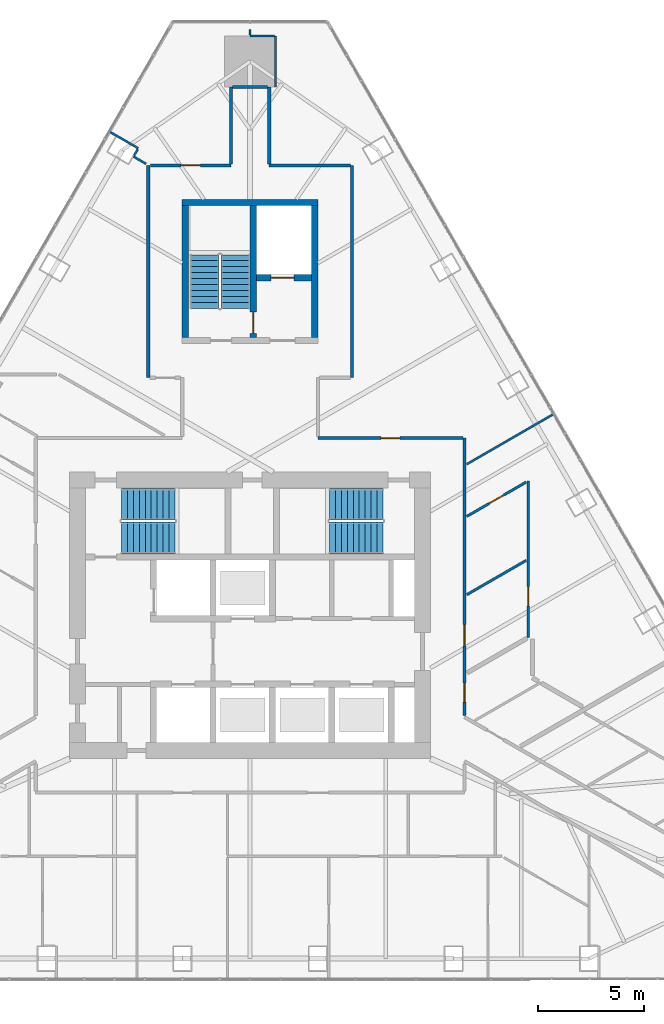
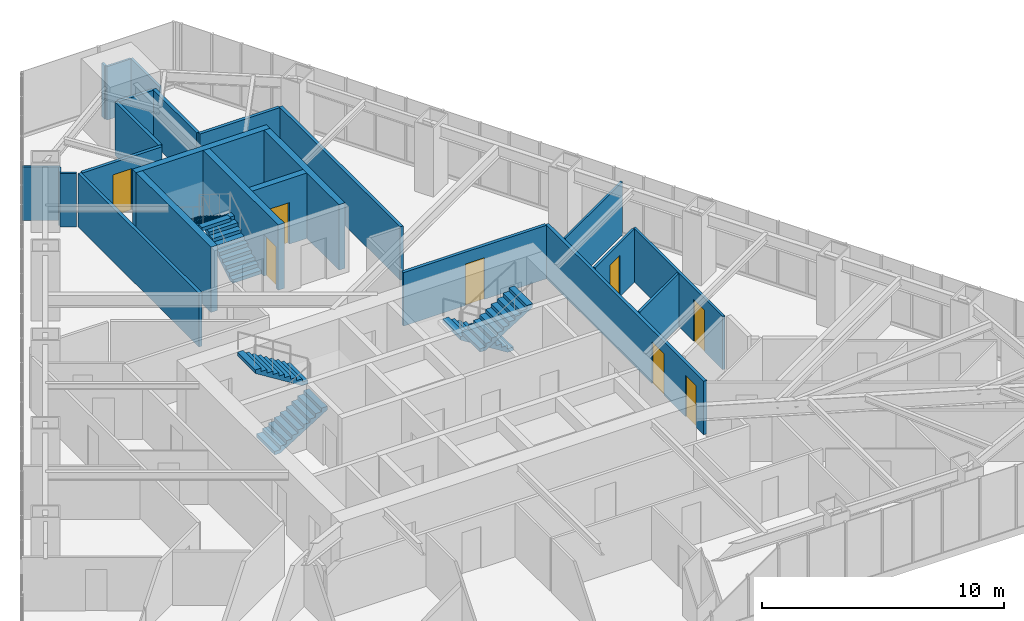
# One storey, part 19 of 21: 24 walls, 8 doors, 6 stair flights, 8 openings, 3 elements without a shape of their own.
"""IFC4 building model written with IfcOpenShell, lengths in metres."""

from ifc_helpers import new_model, si_unit, direction, frame, frame_2d, origin, place, context, subcontext, project, spatial, polyline, rectangle, outline, extrude, material, layer, layer_set, type_object, element, fill, aggregate, save


model = new_model("IFC4")

# Units and contexts
model_context = context("Model", 3, precision=1e-05, world=origin(), true_north=direction((0.0, 1.0)))
body_context = subcontext(model_context, "Body", "Model", "MODEL_VIEW")
ifc_project = project(units=[si_unit("LENGTHUNIT", "METRE"), si_unit("AREAUNIT", "SQUARE_METRE"), si_unit("VOLUMEUNIT", "CUBIC_METRE"), si_unit("PLANEANGLEUNIT", "RADIAN"), si_unit("MASSUNIT", "GRAM", prefix="KILO")], contexts=[model_context])

# Site, building, storey
site_placement = place(None, origin())
site = spatial("IfcSite", under=ifc_project, at=site_placement, CompositionType="ELEMENT")
building_placement = place(site_placement, origin())
building = spatial("IfcBuilding", under=site, at=building_placement, Name="Firuza Gate Tower and Library", CompositionType="ELEMENT")
storey_placement = place(building_placement, frame((0.0, 0.0, 284.60009765625)))
storey = spatial("IfcBuildingStorey", under=building, at=storey_placement, Name="L68", CompositionType="ELEMENT", Elevation=284.60009765625)

# Walls
ifc_material_1 = material(Name="Concrete C60/75", Category="concrete")
ifc_layer_1 = layer(ifc_material_1, 0.300048828125)
ifc_layer_set_1 = layer_set([ifc_layer_1], Name="Core wall 300 C60/75")
wall_type_1 = type_object("IfcWallType", Name="Core wall 300 C60/75", PredefinedType="SHEAR", material=ifc_layer_set_1)
wall_1_placement = place(storey_placement, frame((71.800048828125, 94.449951171875, 0.0), z_axis=(0.0, 0.0, 1.0), x_axis=(1.0, 0.0, 0.0)))
element("IfcWall", 1, at=wall_1_placement, inside=storey, type_object=wall_type_1, Name="Core wall L68 19", PredefinedType="SHEAR", context=body_context, shape_type="SweptSolid", body=[
    extrude(rectangle(XDim=6.39990234375, YDim=0.300048828125, at=frame_2d((3.199951171875, 0.0))), origin(), (0.0, 0.0, 1.0), 3.2998046875),
])
for number, where, z_axis, x_axis, name in (
    (2, (71.949951171875, 88.10009765625, 0.0), (0.0, 0.0, 1.0), (0.0, 1.0, 0.0), "Core wall L68 20"),
    (3, (78.050048828125, 88.10009765625, 0.0), (0.0, 0.0, 1.0), (0.0, 1.0, 0.0), "Core wall L68 21"),
):
    element("IfcWall", number, at=place(storey_placement, frame(where, z_axis=z_axis, x_axis=x_axis)), inside=storey, type_object=wall_type_1, Name=name, PredefinedType="SHEAR", context=body_context, shape_type="SweptSolid", body=[
        extrude(rectangle(XDim=6.199951171875, YDim=0.300048828125, at=frame_2d((3.10009765625, 0.0))), origin(), (0.0, 0.0, 1.0), 3.2998046875),
    ])

# Wall, opening, door
wall_2_placement = place(storey_placement, frame((75.300048828125, 90.89990234375, 0.0), z_axis=(0.0, 0.0, 1.0), x_axis=(1.0, 0.0, 0.0)))
wall_2 = element("IfcWall", 4, at=wall_2_placement, inside=storey, type_object=wall_type_1, Name="Core wall L68 22", PredefinedType="SHEAR", context=body_context, shape_type="SweptSolid", body=[
    extrude(rectangle(XDim=2.599853515625, YDim=0.300048828125, at=frame_2d((1.2998046875, 0.0))), origin(), (0.0, 0.0, 1.0), 3.2998046875),
])
opening_1_placement = place(wall_2_placement, frame((0.675048828125, 0.0, 0.0)))
opening_1 = element("IfcOpeningElement", 5, at=opening_1_placement, cuts=wall_2, Name="Opening LD-SV1-L68", PredefinedType="OPENING", context=body_context, shape_type="SweptSolid", body=[
    extrude(rectangle(XDim=1.10009765625, YDim=2.10009765625, at=frame_2d((0.550048828125, 1.050048828125))), frame((0.0, 0.16015625, 0.0), z_axis=(0.0, -1.0, 0.0), x_axis=(1.0, 0.0, 0.0)), (0.0, 0.0, 1.0), 0.320068359375),
])
ifc_material_2 = material(Name="Stainless steel", Category="steel")
door_type_1 = type_object("IfcDoorType", Name="Lift landing door 1100x2100", OperationType="DOUBLE_DOOR_SLIDING", PredefinedType="DOOR", material=ifc_material_2)
door_1_placement = place(opening_1_placement, origin())
door_1 = element("IfcDoor", 6, at=door_1_placement, inside=storey, type_object=door_type_1, Name="Landing door SV1 L68", OperationType="DOUBLE_DOOR_SLIDING", OverallHeight=2.10009765625, OverallWidth=1.10009765625, PredefinedType="DOOR", context=body_context, shape_type="SweptSolid", body=[
    extrude(rectangle(XDim=1.10009765625, YDim=2.10009765625, at=frame_2d((0.550048828125, 1.050048828125))), frame((0.0, 0.02490234375, 0.0), z_axis=(0.0, -1.0, 0.0), x_axis=(1.0, 0.0, 0.0)), (0.0, 0.0, 1.0), 0.050048828125),
])
fill(opening_1, door_1)

wall_3_placement = place(storey_placement, frame((75.14990234375, 88.10009765625, 0.0), z_axis=(0.0, 0.0, 1.0), x_axis=(0.0, 1.0, 0.0)))
wall_3 = element("IfcWall", 7, at=wall_3_placement, inside=storey, type_object=wall_type_1, Name="Core wall L68 23", PredefinedType="SHEAR", context=body_context, shape_type="SweptSolid", body=[
    extrude(rectangle(XDim=6.199951171875, YDim=0.300048828125, at=frame_2d((3.10009765625, 0.0))), origin(), (0.0, 0.0, 1.0), 3.2998046875),
])
opening_2_placement = place(wall_3_placement, frame((0.18505859375, 0.0, 0.0)))
opening_2 = element("IfcOpeningElement", 8, at=opening_2_placement, cuts=wall_3, Name="Opening L68-K12", PredefinedType="OPENING", context=body_context, shape_type="SweptSolid", body=[
    extrude(rectangle(XDim=1.0, YDim=2.10009765625, at=frame_2d((0.5, 1.050048828125))), frame((0.0, 0.16015625, 0.0), z_axis=(0.0, -1.0, 0.0), x_axis=(1.0, 0.0, 0.0)), (0.0, 0.0, 1.0), 0.320068359375),
])
ifc_material_3 = material(Name="Steel", Category="steel")
door_type_2 = type_object("IfcDoorType", Name="Fire door 1000x2100 FD90", OperationType="NOTDEFINED", PredefinedType="DOOR", material=ifc_material_3)
door_2_placement = place(opening_2_placement, origin())
door_2 = element("IfcDoor", 9, at=door_2_placement, inside=storey, type_object=door_type_2, Name="Door L68-K12", OperationType="SINGLE_SWING_LEFT", OverallHeight=2.10009765625, OverallWidth=1.0, PredefinedType="DOOR", context=body_context, shape_type="SweptSolid", body=[
    extrude(rectangle(XDim=1.0, YDim=2.10009765625, at=frame_2d((0.5, 1.050048828125))), frame((0.0, 0.02490234375, 0.0), z_axis=(0.0, -1.0, 0.0), x_axis=(1.0, 0.0, 0.0)), (0.0, 0.0, 1.0), 0.050048828125),
])
fill(opening_2, door_2)

ifc_material_4 = material(Name="Gypsum board partition")
ifc_layer_2 = layer(ifc_material_4, 0.14990234375)
ifc_layer_set_2 = layer_set([ifc_layer_2], Name="Corridor wall 150 double board on steel studs")
wall_type_2 = type_object("IfcWallType", Name="Corridor wall 150 double board on steel studs", PredefinedType="PARTITIONING", material=ifc_layer_set_2)
wall_4_placement = place(storey_placement, frame((78.199951171875, 83.35009765625, 0.0), z_axis=(0.0, 0.0, 1.0), x_axis=(1.0, 0.0, 0.0)))
wall_4 = element("IfcWall", 10, at=wall_4_placement, inside=storey, type_object=wall_type_2, Name="f:L68:w006", PredefinedType="PARTITIONING", context=body_context, shape_type="SweptSolid", body=[
    extrude(rectangle(XDim=6.822998046875, YDim=0.14990234375, at=frame_2d((3.41162109375, 0.0))), origin(), (0.0, 0.0, 1.0), 2.699951171875),
])
opening_3_placement = place(wall_4_placement, frame((2.96142578125, 0.0, 0.0)))
opening_3 = element("IfcOpeningElement", 11, at=opening_3_placement, cuts=wall_4, Name="Opening L68-07", PredefinedType="OPENING", context=body_context, shape_type="SweptSolid", body=[
    extrude(rectangle(XDim=0.89990234375, YDim=2.10009765625, at=frame_2d((0.449951171875, 1.050048828125))), frame((0.0, 0.0849609375, 0.0), z_axis=(0.0, -1.0, 0.0), x_axis=(1.0, 0.0, 0.0)), (0.0, 0.0, 1.0), 0.169921875),
])
ifc_material_5 = material(Name="Steel door and timber leaf", Category="steel")
door_type_3 = type_object("IfcDoorType", Name="Fire door 900 x 2100 steel frame, timber leaf", OperationType="NOTDEFINED", PredefinedType="DOOR", material=ifc_material_5)
door_3_placement = place(opening_3_placement, origin())
door_3 = element("IfcDoor", 12, at=door_3_placement, inside=storey, type_object=door_type_3, Name="f:L68:d007", OperationType="SINGLE_SWING_RIGHT", OverallHeight=2.10009765625, OverallWidth=0.89990234375, PredefinedType="DOOR", context=body_context, shape_type="SweptSolid", body=[
    extrude(rectangle(XDim=0.89990234375, YDim=2.10009765625, at=frame_2d((0.449951171875, 1.050048828125))), frame((0.0, 0.02490234375, 0.0), z_axis=(0.0, -1.0, 0.0), x_axis=(1.0, 0.0, 0.0)), (0.0, 0.0, 1.0), 0.050048828125),
])
fill(opening_3, door_3)

wall_5_placement = place(storey_placement, frame((70.30224609375, 96.199951171875, 0.0), z_axis=(0.0, 0.0, 1.0), x_axis=(1.0, 0.0, 0.0)))
wall_5 = element("IfcWall", 13, at=wall_5_placement, inside=storey, type_object=wall_type_2, Name="f:L68:w010", PredefinedType="PARTITIONING", context=body_context, shape_type="SweptSolid", body=[
    extrude(rectangle(XDim=3.7978515625, YDim=0.14990234375, at=frame_2d((1.89892578125, 0.0))), origin(), (0.0, 0.0, 1.0), 2.699951171875),
])
opening_4_placement = place(wall_5_placement, frame((1.448974609375, 0.0, 0.0)))
opening_4 = element("IfcOpeningElement", 14, at=opening_4_placement, cuts=wall_5, Name="Opening L68-09", PredefinedType="OPENING", context=body_context, shape_type="SweptSolid", body=[
    extrude(rectangle(XDim=0.89990234375, YDim=2.10009765625, at=frame_2d((0.449951171875, 1.050048828125))), frame((0.0, 0.0849609375, 0.0), z_axis=(0.0, -1.0, 0.0), x_axis=(1.0, 0.0, 0.0)), (0.0, 0.0, 1.0), 0.169921875),
])
door_4_placement = place(opening_4_placement, origin())
door_4 = element("IfcDoor", 15, at=door_4_placement, inside=storey, type_object=door_type_3, Name="f:L68:d009", OperationType="SINGLE_SWING_LEFT", OverallHeight=2.10009765625, OverallWidth=0.89990234375, PredefinedType="DOOR", context=body_context, shape_type="SweptSolid", body=[
    extrude(rectangle(XDim=0.89990234375, YDim=2.10009765625, at=frame_2d((0.449951171875, 1.050048828125))), frame((0.0, 0.02490234375, 0.0), z_axis=(0.0, -1.0, 0.0), x_axis=(1.0, 0.0, 0.0)), (0.0, 0.0, 1.0), 0.050048828125),
])
fill(opening_4, door_4)

# Walls
wall_6_placement = place(storey_placement, frame((75.900146484375, 96.199951171875, 0.0), z_axis=(0.0, 0.0, 1.0), x_axis=(1.0, 0.0, 0.0)))
element("IfcWall", 16, at=wall_6_placement, inside=storey, type_object=wall_type_2, Name="f:L68:w011", PredefinedType="PARTITIONING", context=body_context, shape_type="SweptSolid", body=[
    extrude(rectangle(XDim=3.82275390625, YDim=0.14990234375, at=frame_2d((1.911376953125, 0.0))), origin(), (0.0, 0.0, 1.0), 2.699951171875),
])
wall_7_placement = place(storey_placement, frame((74.175537109375, 99.90087890625, 0.0), z_axis=(0.0, 0.0, 1.0), x_axis=(1.0, 0.0, 0.0)))
element("IfcWall", 17, at=wall_7_placement, inside=storey, type_object=wall_type_2, Name="f:L68:w012", PredefinedType="PARTITIONING", context=body_context, shape_type="SweptSolid", body=[
    extrude(rectangle(XDim=1.642333984375, YDim=0.14990234375, at=frame_2d((0.8212890625, 0.0))), origin(), (0.0, 0.0, 1.0), 2.697021484375),
])

# Wall, openings, doors
wall_8_placement = place(storey_placement, frame((85.10009765625, 83.347900390625, 0.0), z_axis=(0.0, 0.0, 1.0), x_axis=(0.0, -1.0, 0.0)))
wall_8 = element("IfcWall", 18, at=wall_8_placement, inside=storey, type_object=wall_type_2, Name="f:L68:w042", PredefinedType="PARTITIONING", context=body_context, shape_type="SweptSolid", body=[
    extrude(rectangle(XDim=13.05322265625, YDim=0.14990234375, at=frame_2d((6.526611328125, 0.0))), origin(), (0.0, 0.0, 1.0), 2.699951171875),
])
opening_5_placement = place(wall_8_placement, frame((8.779541015625, 0.0, 0.0)))
opening_5 = element("IfcOpeningElement", 19, at=opening_5_placement, cuts=wall_8, Name="Opening L68-18", PredefinedType="OPENING", context=body_context, shape_type="SweptSolid", body=[
    extrude(rectangle(XDim=1.0, YDim=2.10009765625, at=frame_2d((0.5, 1.050048828125))), frame((0.0, 0.0849609375, 0.0), z_axis=(0.0, -1.0, 0.0), x_axis=(1.0, 0.0, 0.0)), (0.0, 0.0, 1.0), 0.169921875),
])
opening_6_placement = place(wall_8_placement, frame((11.537109375, 0.0, 0.0)))
opening_6 = element("IfcOpeningElement", 20, at=opening_6_placement, cuts=wall_8, Name="Opening L68-19", PredefinedType="OPENING", context=body_context, shape_type="SweptSolid", body=[
    extrude(rectangle(XDim=0.89990234375, YDim=2.10009765625, at=frame_2d((0.449951171875, 1.050048828125))), frame((0.0, 0.0849609375, 0.0), z_axis=(0.0, -1.0, 0.0), x_axis=(1.0, 0.0, 0.0)), (0.0, 0.0, 1.0), 0.169921875),
])
ifc_material_6 = material(Name="Steel door and timber leaf", Category="steel")
door_type_4 = type_object("IfcDoorType", Name="Fire door 1000 x 2100 steel frame, timber leaf", OperationType="NOTDEFINED", PredefinedType="DOOR", material=ifc_material_6)
door_5_placement = place(opening_5_placement, origin())
door_5 = element("IfcDoor", 21, at=door_5_placement, inside=storey, type_object=door_type_4, Name="f:L68:d018", OperationType="SINGLE_SWING_LEFT", OverallHeight=2.10009765625, OverallWidth=1.0, PredefinedType="DOOR", context=body_context, shape_type="SweptSolid", body=[
    extrude(rectangle(XDim=1.0, YDim=2.10009765625, at=frame_2d((0.5, 1.050048828125))), frame((0.0, 0.02490234375, 0.0), z_axis=(0.0, -1.0, 0.0), x_axis=(1.0, 0.0, 0.0)), (0.0, 0.0, 1.0), 0.050048828125),
])
fill(opening_5, door_5)
door_6_placement = place(opening_6_placement, origin())
door_6 = element("IfcDoor", 22, at=door_6_placement, inside=storey, type_object=door_type_3, Name="f:L68:d019", OperationType="SINGLE_SWING_LEFT", OverallHeight=2.10009765625, OverallWidth=0.89990234375, PredefinedType="DOOR", context=body_context, shape_type="SweptSolid", body=[
    extrude(rectangle(XDim=0.89990234375, YDim=2.10009765625, at=frame_2d((0.449951171875, 1.050048828125))), frame((0.0, 0.02490234375, 0.0), z_axis=(0.0, -1.0, 0.0), x_axis=(1.0, 0.0, 0.0)), (0.0, 0.0, 1.0), 0.050048828125),
])
fill(opening_6, door_6)

# Walls
wall_9_placement = place(storey_placement, frame((79.800048828125, 86.201904296875, 0.0), z_axis=(0.0, 0.0, 1.0), x_axis=(0.0, 1.0, 0.0)))
element("IfcWall", 23, at=wall_9_placement, inside=storey, type_object=wall_type_2, Name="f:L68:w044", PredefinedType="PARTITIONING", context=body_context, shape_type="SweptSolid", body=[
    extrude(rectangle(XDim=9.99609375, YDim=0.14990234375, at=frame_2d((4.998046875, 0.0))), origin(), (0.0, 0.0, 1.0), 2.699951171875),
])
wall_10_placement = place(storey_placement, frame((75.89990234375, 96.275146484375, 0.0), z_axis=(0.0, 0.0, 1.0), x_axis=(0.0, 1.0, 0.0)))
element("IfcWall", 24, at=wall_10_placement, inside=storey, type_object=wall_type_2, Name="f:L68:w048", PredefinedType="PARTITIONING", context=body_context, shape_type="SweptSolid", body=[
    extrude(rectangle(XDim=3.62548828125, YDim=0.14990234375, at=frame_2d((1.812744140625, 0.0))), origin(), (0.0, 0.0, 1.0), 2.699951171875),
])
wall_11_placement = place(storey_placement, frame((74.10009765625, 96.27490234375, 0.0), z_axis=(0.0, 0.0, 1.0), x_axis=(0.0, 1.0, 0.0)))
element("IfcWall", 25, at=wall_11_placement, inside=storey, type_object=wall_type_2, Name="f:L68:w050", PredefinedType="PARTITIONING", context=body_context, shape_type="SweptSolid", body=[
    extrude(rectangle(XDim=3.625244140625, YDim=0.14990234375, at=frame_2d((1.8125, 0.0))), origin(), (0.0, 0.0, 1.0), 2.699951171875),
])
wall_12_placement = place(storey_placement, frame((70.199951171875, 86.200439453125, 0.0), z_axis=(0.0, 0.0, 1.0), x_axis=(0.0, 1.0, 0.0)))
element("IfcWall", 26, at=wall_12_placement, inside=storey, type_object=wall_type_2, Name="f:L68:w053", PredefinedType="PARTITIONING", context=body_context, shape_type="SweptSolid", body=[
    extrude(rectangle(XDim=9.9990234375, YDim=0.14990234375, at=frame_2d((4.99951171875, 0.0))), origin(), (0.0, 0.0, 1.0), 2.699951171875),
])
ifc_material_7 = material(Name="Gypsum board partition")
ifc_layer_3 = layer(ifc_material_7, 0.10009765625)
ifc_layer_set_3 = layer_set([ifc_layer_3], Name="Partition 100 gypsum board on steel studs")
wall_type_3 = type_object("IfcWallType", Name="Partition 100 gypsum board on steel studs", PredefinedType="PARTITIONING", material=ifc_layer_set_3)
wall_13_placement = place(storey_placement, frame((75.00048828125, 102.301025390625, 0.0), z_axis=(0.0, 0.0, 1.0), x_axis=(1.0, 0.0, 0.0)))
element("IfcWall", 27, at=wall_13_placement, inside=storey, type_object=wall_type_3, Name="f:L68:w013", PredefinedType="PARTITIONING", context=body_context, shape_type="SweptSolid", body=[
    extrude(rectangle(XDim=1.1474609375, YDim=0.10009765625, at=frame_2d((0.57373046875, 0.0))), origin(), (0.0, 0.0, 1.0), 2.699951171875),
])
wall_14_placement = place(storey_placement, frame((85.200927734375, 82.119384765625, 0.0), z_axis=(0.0, 0.0, 1.0), x_axis=(0.866035297817, 0.499982862641, 0.0)))
element("IfcWall", 28, at=wall_14_placement, inside=storey, type_object=wall_type_3, Name="f:L68:w027", PredefinedType="PARTITIONING", context=body_context, shape_type="SweptSolid", body=[
    extrude(rectangle(XDim=4.734130859375, YDim=0.10009765625, at=frame_2d((2.3671875, 0.0))), origin(), (0.0, 0.0, 1.0), 2.68798828125),
])
wall_15_placement = place(storey_placement, frame((69.52978515625, 96.6611328125, 0.0), z_axis=(0.0, 0.0, 1.0), x_axis=(0.499904278411, 0.866080661617, 0.0)))
element("IfcWall", 29, at=wall_15_placement, inside=storey, type_object=wall_type_3, Name="f:L68:w031", PredefinedType="PARTITIONING", context=body_context, shape_type="SweptSolid", body=[
    extrude(rectangle(XDim=0.3486328125, YDim=0.10009765625, at=frame_2d((0.17431640625, 0.0))), origin(), (0.0, 0.0, 1.0), 2.699951171875),
])
wall_16_placement = place(storey_placement, frame((76.199951171875, 99.902587890625, 0.0), z_axis=(0.0, 0.0, 1.0), x_axis=(0.0, 1.0, 0.0)))
element("IfcWall", 30, at=wall_16_placement, inside=storey, type_object=wall_type_3, Name="f:L68:w047", PredefinedType="PARTITIONING", context=body_context, shape_type="SweptSolid", body=[
    extrude(rectangle(XDim=2.39599609375, YDim=0.10009765625, at=frame_2d((1.197998046875, 0.0))), origin(), (0.0, 0.0, 1.0), 2.699951171875),
])
wall_17_placement = place(storey_placement, frame((75.0, 102.35107421875, 0.0), z_axis=(0.0, 0.0, 1.0), x_axis=(0.0, 1.0, 0.0)))
element("IfcWall", 31, at=wall_17_placement, inside=storey, type_object=wall_type_3, Name="f:L68:w049", PredefinedType="PARTITIONING", context=body_context, shape_type="SweptSolid", body=[
    extrude(rectangle(XDim=0.24951171875, YDim=0.10009765625, at=frame_2d((0.124755859375, 0.0))), origin(), (0.0, 0.0, 1.0), 2.699951171875),
])
wall_18_placement = place(storey_placement, frame((69.728759765625, 97.007080078125, 0.0), z_axis=(0.0, 0.0, 1.0), x_axis=(-0.866018739521, 0.500011542666, 0.0)))
element("IfcWall", 32, at=wall_18_placement, inside=storey, type_object=wall_type_3, Name="f:L68:w064", PredefinedType="PARTITIONING", context=body_context, shape_type="SweptSolid", body=[
    extrude(rectangle(XDim=1.5595703125, YDim=0.10009765625, at=frame_2d((0.77978515625, 0.0))), origin(), (0.0, 0.0, 1.0), 2.699951171875),
])
wall_19_placement = place(storey_placement, frame((70.09716796875, 96.27490234375, 0.0), z_axis=(0.0, 0.0, 1.0), x_axis=(-0.866060802215, 0.499938683108, 0.0)))
element("IfcWall", 33, at=wall_19_placement, inside=storey, type_object=wall_type_3, Name="f:L68:w065", PredefinedType="PARTITIONING", context=body_context, shape_type="SweptSolid", body=[
    extrude(rectangle(XDim=0.68408203125, YDim=0.10009765625, at=frame_2d((0.342041015625, 0.0))), origin(), (0.0, 0.0, 1.0), 2.699951171875),
])
ifc_material_8 = material(Name="Gypsum board partition")
ifc_layer_4 = layer(ifc_material_8, 0.1201171875)
ifc_layer_set_4 = layer_set([ifc_layer_4], Name="Wet-area partition 120 moisture-resistant board")
wall_type_4 = type_object("IfcWallType", Name="Wet-area partition 120 moisture-resistant board", PredefinedType="PARTITIONING", material=ifc_layer_set_4)
wall_20_placement = place(storey_placement, frame((85.209716796875, 75.975830078125, 0.0), z_axis=(0.0, 0.0, 1.0), x_axis=(0.86605210011, 0.499953757757, 0.0)))
element("IfcWall", 34, at=wall_20_placement, inside=storey, type_object=wall_type_4, Name="f:L68:w020", PredefinedType="PARTITIONING", context=body_context, shape_type="SweptSolid", body=[
    extrude(rectangle(XDim=3.228271484375, YDim=0.1201171875, at=frame_2d((1.6142578125, 0.0))), origin(), (0.0, 0.0, 1.0), 2.699951171875),
])

# Wall, opening, door
wall_21_placement = place(storey_placement, frame((88.00537109375, 81.279052734375, 0.0), z_axis=(0.0, 0.0, 1.0), x_axis=(-0.866000447062, -0.500043223821, 0.0)))
wall_21 = element("IfcWall", 35, at=wall_21_placement, inside=storey, type_object=wall_type_4, Name="f:L68:w023", PredefinedType="PARTITIONING", context=body_context, shape_type="SweptSolid", body=[
    extrude(rectangle(XDim=3.228271484375, YDim=0.1201171875, at=frame_2d((1.6142578125, 0.0))), origin(), (0.0, 0.0, 1.0), 2.699951171875),
])
opening_7_placement = place(wall_21_placement, frame((1.214111328125, 0.0, 0.0)))
opening_7 = element("IfcOpeningElement", 36, at=opening_7_placement, cuts=wall_21, Name="Opening L68-11", PredefinedType="OPENING", context=body_context, shape_type="SweptSolid", body=[
    extrude(rectangle(XDim=0.800048828125, YDim=2.10009765625, at=frame_2d((0.39990234375, 1.050048828125))), frame((0.0, 0.070068359375, 0.0), z_axis=(0.0, -1.0, 0.0), x_axis=(1.0, 0.0, 0.0)), (0.0, 0.0, 1.0), 0.14013671875),
])
ifc_material_9 = material(Name="Timber door", Category="wood")
door_type_5 = type_object("IfcDoorType", Name="Door 800 x 2100 timber leaf", OperationType="NOTDEFINED", PredefinedType="DOOR", material=ifc_material_9)
door_7_placement = place(opening_7_placement, origin())
door_7 = element("IfcDoor", 37, at=door_7_placement, inside=storey, type_object=door_type_5, Name="f:L68:d011", OperationType="SINGLE_SWING_RIGHT", OverallHeight=2.10009765625, OverallWidth=0.800048828125, PredefinedType="DOOR", context=body_context, shape_type="SweptSolid", body=[
    extrude(rectangle(XDim=0.800048828125, YDim=2.10009765625, at=frame_2d((0.39990234375, 1.050048828125))), frame((0.0, 0.02490234375, 0.0), z_axis=(0.0, -1.0, 0.0), x_axis=(1.0, 0.0, 0.0)), (0.0, 0.0, 1.0), 0.050048828125),
])
fill(opening_7, door_7)

wall_22_placement = place(storey_placement, frame((88.10009765625, 81.333740234375, 0.0), z_axis=(0.0, 0.0, 1.0), x_axis=(0.0, -1.0, 0.0)))
wall_22 = element("IfcWall", 38, at=wall_22_placement, inside=storey, type_object=wall_type_4, Name="f:L68:w038", PredefinedType="PARTITIONING", context=body_context, shape_type="SweptSolid", body=[
    extrude(rectangle(XDim=7.3779296875, YDim=0.1201171875, at=frame_2d((3.68896484375, 0.0))), origin(), (0.0, 0.0, 1.0), 2.699951171875),
])
opening_8_placement = place(wall_22_placement, frame((4.98193359375, 0.0, 0.0)))
opening_8 = element("IfcOpeningElement", 39, at=opening_8_placement, cuts=wall_22, Name="Opening L68-16", PredefinedType="OPENING", context=body_context, shape_type="SweptSolid", body=[
    extrude(rectangle(XDim=0.89990234375, YDim=2.10009765625, at=frame_2d((0.449951171875, 1.050048828125))), frame((0.0, 0.070068359375, 0.0), z_axis=(0.0, -1.0, 0.0), x_axis=(1.0, 0.0, 0.0)), (0.0, 0.0, 1.0), 0.14013671875),
])
ifc_material_10 = material(Name="Timber door", Category="wood")
door_type_6 = type_object("IfcDoorType", Name="Door 900 x 2100 timber leaf", OperationType="NOTDEFINED", PredefinedType="DOOR", material=ifc_material_10)
door_8_placement = place(opening_8_placement, origin())
door_8 = element("IfcDoor", 40, at=door_8_placement, inside=storey, type_object=door_type_6, Name="f:L68:d016", OperationType="SINGLE_SWING_RIGHT", OverallHeight=2.10009765625, OverallWidth=0.89990234375, PredefinedType="DOOR", context=body_context, shape_type="SweptSolid", body=[
    extrude(rectangle(XDim=0.89990234375, YDim=2.10009765625, at=frame_2d((0.449951171875, 1.050048828125))), frame((0.0, 0.02490234375, 0.0), z_axis=(0.0, -1.0, 0.0), x_axis=(1.0, 0.0, 0.0)), (0.0, 0.0, 1.0), 0.050048828125),
])
fill(opening_8, door_8)

# Stair, stair flights
ifc_material_11 = material(Name="Concrete C35/45", Category="concrete")
stair_type_1 = type_object("IfcStairType", Name="Exit stair ST17", PredefinedType="HALF_TURN_STAIR", material=ifc_material_11)
placement = place(storey_placement, origin())
stair_1 = element("IfcStair", 41, at=placement, inside=storey, type_object=stair_type_1, Name="L68 Stair ST3", PredefinedType="HALF_TURN_STAIR")
ifc_material_12 = material(Name="Concrete C35/45", Category="concrete")
stair_flight_type_1 = type_object("IfcStairFlightType", Name="Stair flight 10 risers 175 width 1370", PredefinedType="STRAIGHT", material=ifc_material_12)
stair_flight_1_placement = place(storey_placement, frame((74.31494140625, 89.469970703125, 0.0), z_axis=(0.0, 0.0, 1.0), x_axis=(0.0, 1.0, 0.0)))
stair_flight_1 = element("IfcStairFlight", 42, at=stair_flight_1_placement, type_object=stair_flight_type_1, Name="ST3 flight 1", NumberOfRisers=10, NumberOfTreads=9, PredefinedType="STRAIGHT", RiserHeight=0.175, TreadLength=0.28, context=body_context, shape_type="SweptSolid", body=[
    extrude(outline(polyline([(0.0, 0.0), (0.0, 0.175048828125), (0.280029296875, 0.175048828125), (0.280029296875, 0.35009765625), (0.56005859375, 0.35009765625), (0.56005859375, 0.52490234375), (0.840087890625, 0.52490234375), (0.840087890625, 0.699951171875), (1.1201171875, 0.699951171875), (1.1201171875, 0.875), (1.39990234375, 0.875), (1.39990234375, 1.050048828125), (1.679931640625, 1.050048828125), (1.679931640625, 1.22509765625), (1.9599609375, 1.22509765625), (1.9599609375, 1.39990234375), (2.239990234375, 1.39990234375), (2.239990234375, 1.574951171875), (2.52001953125, 1.574951171875), (2.52001953125, 1.75), (2.52001953125, 1.398193359375), (0.28271484375, 0.0), (0.0, 0.0)])), frame((0.0, 0.68505859375, 0.0), z_axis=(0.0, -1.0, 0.0), x_axis=(1.0, 0.0, 0.0)), (0.0, 0.0, 1.0), 1.3701171875),
])
stair_flight_2_placement = place(storey_placement, frame((72.844970703125, 91.989990234375, 1.75), z_axis=(0.0, 0.0, 1.0), x_axis=(0.0, -1.0, 0.0)))
stair_flight_2 = element("IfcStairFlight", 43, at=stair_flight_2_placement, type_object=stair_flight_type_1, Name="ST3 flight 2", NumberOfRisers=10, NumberOfTreads=9, PredefinedType="STRAIGHT", RiserHeight=0.175, TreadLength=0.28, context=body_context, shape_type="SweptSolid", body=[
    extrude(outline(polyline([(0.0, 0.0), (0.0, 0.175048828125), (0.280029296875, 0.175048828125), (0.280029296875, 0.35009765625), (0.56005859375, 0.35009765625), (0.56005859375, 0.52490234375), (0.840087890625, 0.52490234375), (0.840087890625, 0.699951171875), (1.1201171875, 0.699951171875), (1.1201171875, 0.875), (1.39990234375, 0.875), (1.39990234375, 1.050048828125), (1.679931640625, 1.050048828125), (1.679931640625, 1.22509765625), (1.9599609375, 1.22509765625), (1.9599609375, 1.39990234375), (2.239990234375, 1.39990234375), (2.239990234375, 1.574951171875), (2.52001953125, 1.574951171875), (2.52001953125, 1.75), (2.52001953125, 1.398193359375), (0.28271484375, 0.0), (0.0, 0.0)])), frame((0.0, 0.68505859375, 0.0), z_axis=(0.0, -1.0, 0.0), x_axis=(1.0, 0.0, 0.0)), (0.0, 0.0, 1.0), 1.3701171875),
])
aggregate(stair_1, [stair_flight_1, stair_flight_2])

ifc_material_13 = material(Name="Concrete C35/45", Category="concrete")
stair_type_2 = type_object("IfcStairType", Name="Exit stair ST8", PredefinedType="HALF_TURN_STAIR", material=ifc_material_13)
stair_2 = element("IfcStair", 44, at=placement, inside=storey, type_object=stair_type_2, Name="L68 Stair ST1", PredefinedType="HALF_TURN_STAIR")
ifc_material_14 = material(Name="Concrete C35/45", Category="concrete")
stair_flight_type_2 = type_object("IfcStairFlightType", Name="Stair flight 10 risers 175 width 1490", PredefinedType="STRAIGHT", material=ifc_material_14)
stair_flight_3_placement = place(storey_placement, frame((68.93994140625, 78.64501953125, 0.0), z_axis=(0.0, 0.0, 1.0), x_axis=(1.0, 0.0, 0.0)))
stair_flight_3 = element("IfcStairFlight", 45, at=stair_flight_3_placement, type_object=stair_flight_type_2, Name="ST1 flight 1", NumberOfRisers=10, NumberOfTreads=9, PredefinedType="STRAIGHT", RiserHeight=0.175, TreadLength=0.28, context=body_context, shape_type="SweptSolid", body=[
    extrude(outline(polyline([(0.0, 0.0), (0.0, 0.175048828125), (0.280029296875, 0.175048828125), (0.280029296875, 0.35009765625), (0.56005859375, 0.35009765625), (0.56005859375, 0.52490234375), (0.840087890625, 0.52490234375), (0.840087890625, 0.699951171875), (1.1201171875, 0.699951171875), (1.1201171875, 0.875), (1.39990234375, 0.875), (1.39990234375, 1.050048828125), (1.679931640625, 1.050048828125), (1.679931640625, 1.22509765625), (1.9599609375, 1.22509765625), (1.9599609375, 1.39990234375), (2.239990234375, 1.39990234375), (2.239990234375, 1.574951171875), (2.52001953125, 1.574951171875), (2.52001953125, 1.75), (2.52001953125, 1.398193359375), (0.28271484375, 0.0), (0.0, 0.0)])), frame((0.0, 0.7451171875, 0.0), z_axis=(0.0, -1.0, 0.0), x_axis=(1.0, 0.0, 0.0)), (0.0, 0.0, 1.0), 1.489990234375),
])
stair_flight_4_placement = place(storey_placement, frame((71.4599609375, 80.235107421875, 1.75), z_axis=(0.0, 0.0, 1.0), x_axis=(-1.0, 0.0, 0.0)))
stair_flight_4 = element("IfcStairFlight", 46, at=stair_flight_4_placement, type_object=stair_flight_type_2, Name="ST1 flight 2", NumberOfRisers=10, NumberOfTreads=9, PredefinedType="STRAIGHT", RiserHeight=0.175, TreadLength=0.28, context=body_context, shape_type="SweptSolid", body=[
    extrude(outline(polyline([(0.0, 0.0), (0.0, 0.175048828125), (0.280029296875, 0.175048828125), (0.280029296875, 0.35009765625), (0.56005859375, 0.35009765625), (0.56005859375, 0.52490234375), (0.840087890625, 0.52490234375), (0.840087890625, 0.699951171875), (1.1201171875, 0.699951171875), (1.1201171875, 0.875), (1.39990234375, 0.875), (1.39990234375, 1.050048828125), (1.679931640625, 1.050048828125), (1.679931640625, 1.22509765625), (1.9599609375, 1.22509765625), (1.9599609375, 1.39990234375), (2.239990234375, 1.39990234375), (2.239990234375, 1.574951171875), (2.52001953125, 1.574951171875), (2.52001953125, 1.75), (2.52001953125, 1.398193359375), (0.28271484375, 0.0), (0.0, 0.0)])), frame((0.0, 0.7451171875, 0.0), z_axis=(0.0, -1.0, 0.0), x_axis=(1.0, 0.0, 0.0)), (0.0, 0.0, 1.0), 1.489990234375),
])
aggregate(stair_2, [stair_flight_3, stair_flight_4])

stair_3 = element("IfcStair", 47, at=placement, inside=storey, type_object=stair_type_2, Name="L68 Stair ST2", PredefinedType="HALF_TURN_STAIR")
stair_flight_5_placement = place(storey_placement, frame((81.260009765625, 80.235107421875, 0.0), z_axis=(0.0, 0.0, 1.0), x_axis=(-1.0, 0.0, 0.0)))
stair_flight_5 = element("IfcStairFlight", 48, at=stair_flight_5_placement, type_object=stair_flight_type_2, Name="ST2 flight 1", NumberOfRisers=10, NumberOfTreads=9, PredefinedType="STRAIGHT", RiserHeight=0.175, TreadLength=0.28, context=body_context, shape_type="SweptSolid", body=[
    extrude(outline(polyline([(0.0, 0.0), (0.0, 0.175048828125), (0.280029296875, 0.175048828125), (0.280029296875, 0.35009765625), (0.56005859375, 0.35009765625), (0.56005859375, 0.52490234375), (0.840087890625, 0.52490234375), (0.840087890625, 0.699951171875), (1.1201171875, 0.699951171875), (1.1201171875, 0.875), (1.39990234375, 0.875), (1.39990234375, 1.050048828125), (1.679931640625, 1.050048828125), (1.679931640625, 1.22509765625), (1.9599609375, 1.22509765625), (1.9599609375, 1.39990234375), (2.239990234375, 1.39990234375), (2.239990234375, 1.574951171875), (2.52001953125, 1.574951171875), (2.52001953125, 1.75), (2.52001953125, 1.398193359375), (0.28271484375, 0.0), (0.0, 0.0)])), frame((0.0, 0.7451171875, 0.0), z_axis=(0.0, -1.0, 0.0), x_axis=(1.0, 0.0, 0.0)), (0.0, 0.0, 1.0), 1.489990234375),
])
stair_flight_6_placement = place(storey_placement, frame((78.739990234375, 78.64501953125, 1.75), z_axis=(0.0, 0.0, 1.0), x_axis=(1.0, 0.0, 0.0)))
stair_flight_6 = element("IfcStairFlight", 49, at=stair_flight_6_placement, type_object=stair_flight_type_2, Name="ST2 flight 2", NumberOfRisers=10, NumberOfTreads=9, PredefinedType="STRAIGHT", RiserHeight=0.175, TreadLength=0.28, context=body_context, shape_type="SweptSolid", body=[
    extrude(outline(polyline([(0.0, 0.0), (0.0, 0.175048828125), (0.280029296875, 0.175048828125), (0.280029296875, 0.35009765625), (0.56005859375, 0.35009765625), (0.56005859375, 0.52490234375), (0.840087890625, 0.52490234375), (0.840087890625, 0.699951171875), (1.1201171875, 0.699951171875), (1.1201171875, 0.875), (1.39990234375, 0.875), (1.39990234375, 1.050048828125), (1.679931640625, 1.050048828125), (1.679931640625, 1.22509765625), (1.9599609375, 1.22509765625), (1.9599609375, 1.39990234375), (2.239990234375, 1.39990234375), (2.239990234375, 1.574951171875), (2.52001953125, 1.574951171875), (2.52001953125, 1.75), (2.52001953125, 1.398193359375), (0.28271484375, 0.0), (0.0, 0.0)])), frame((0.0, 0.7451171875, 0.0), z_axis=(0.0, -1.0, 0.0), x_axis=(1.0, 0.0, 0.0)), (0.0, 0.0, 1.0), 1.489990234375),
])
aggregate(stair_3, [stair_flight_5, stair_flight_6])

save(model, "model.ifc")
